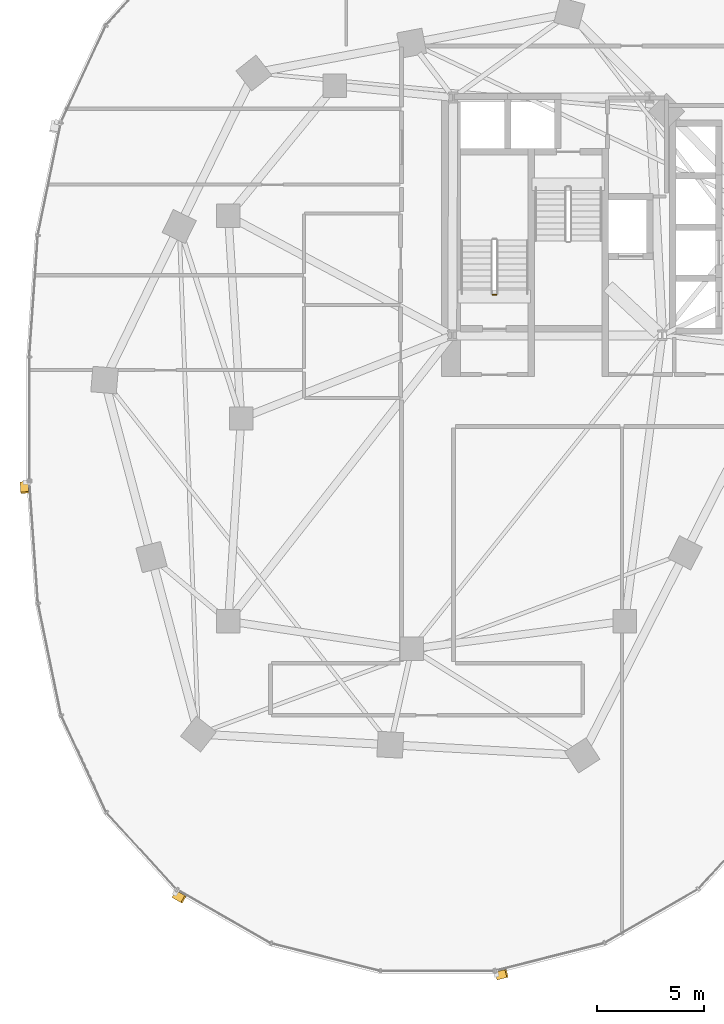
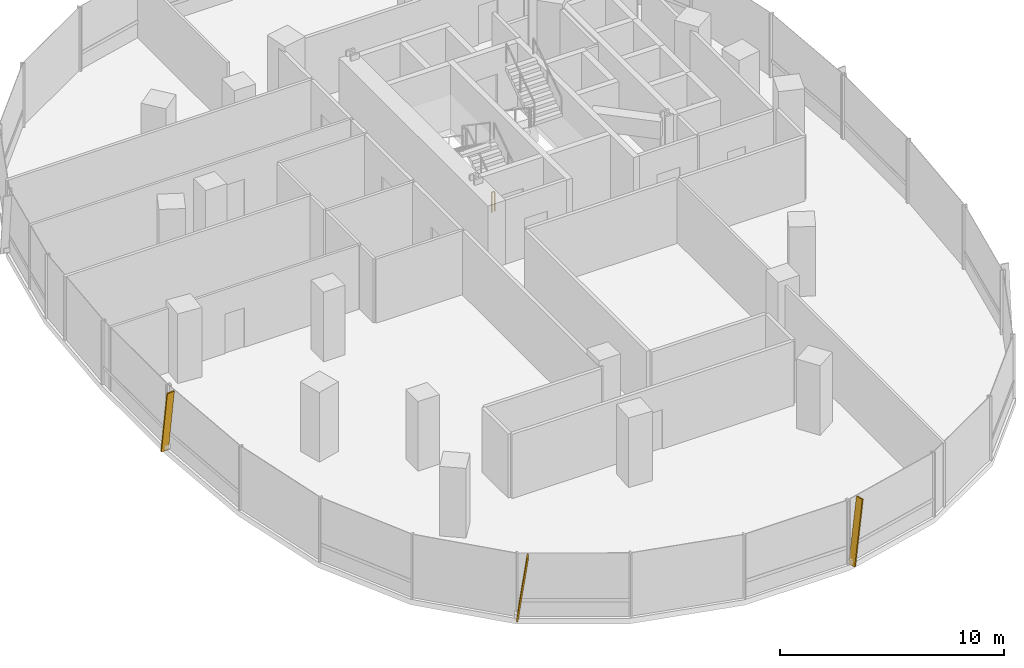
# One storey, part 17 of 21: 3 shading devices, 1 railing.
"""IFC4 building model written with IfcOpenShell, lengths in metres."""

import ifcopenshell
import ifcopenshell.guid

model = None  # the IFC model being written
_history = None  # IfcOwnerHistory: only IFC2X3 demands one
_inside = {}  # id of a spatial element -> (the spatial element, [elements in it])
_under = {}  # id of a project, library or spatial element -> (it, [spatial elements below it])
_declared = {}  # id of a project -> (the project, [libraries it declares])
_typed = {}  # id of a type object -> (the type object, [elements of that type])
_made_of = {}  # id of a material, layer set ... -> (it, [elements and type objects made of it])


def new_model(schema):
    """Start an empty IFC model of exactly this schema.

    Asked for "IFC4X3", IfcOpenShell would pick the latest addendum, in which some entities
    have other attributes; the version numbers below select the first issue.
    IFC2X3 requires an IfcOwnerHistory on every rooted entity: one is made here for all.
    """
    global model, _history
    if schema == "IFC4X3":
        model = ifcopenshell.file(schema_version=(4, 3, 0, 0))
    else:
        model = ifcopenshell.file(schema=schema)
    _inside.clear()
    _under.clear()
    _declared.clear()
    _typed.clear()
    _made_of.clear()
    _history = None
    if model.schema == "IFC2X3":
        org = make("IfcOrganization", Name="unknown")
        user = make(
            "IfcPersonAndOrganization",
            ThePerson=make("IfcPerson", FamilyName="unknown"),
            TheOrganization=org,
        )
        app = make(
            "IfcApplication",
            ApplicationDeveloper=org,
            Version="unknown",
            ApplicationFullName="unknown",
            ApplicationIdentifier="unknown",
        )
        _history = make(
            "IfcOwnerHistory",
            OwningUser=user,
            OwningApplication=app,
            ChangeAction="ADDED",
            CreationDate=0,
        )
    return model


def make(cls, **values):
    """One entity of the class cls with the attributes given. An attribute that is None is left unset."""
    return model.create_entity(
        cls, **{name: value for name, value in values.items() if value is not None}
    )


def rooted(cls, **values):
    """An entity with a GlobalId (a new one), such as an element, a storey or a relation."""
    return make(cls, GlobalId=ifcopenshell.guid.new(), OwnerHistory=_history, **values)


def si_unit(unit_type, name, prefix=None):
    """IfcSIUnit, for example si_unit("LENGTHUNIT", "METRE", prefix="MILLI")."""
    return make("IfcSIUnit", UnitType=unit_type, Prefix=prefix, Name=name)


def assignment(units):
    """IfcUnitAssignment: the units of a project."""
    return None if units is None else make("IfcUnitAssignment", Units=units)


def point(xyz):
    """IfcCartesianPoint."""
    return None if xyz is None else make("IfcCartesianPoint", Coordinates=xyz)


def direction(xyz):
    """IfcDirection."""
    return None if xyz is None else make("IfcDirection", DirectionRatios=xyz)


def frame(location, z_axis=None, x_axis=None):
    """IfcAxis2Placement3D, a coordinate frame: its origin and axes. An axis left out is left unset."""
    return make(
        "IfcAxis2Placement3D",
        Location=point(location),
        Axis=direction(z_axis),
        RefDirection=direction(x_axis),
    )


def frame_2d(location, x_axis=None):
    """IfcAxis2Placement2D, a coordinate frame in the plane: its origin and x axis."""
    return make(
        "IfcAxis2Placement2D", Location=point(location), RefDirection=direction(x_axis)
    )


def origin():
    """The frame at (0, 0, 0) with its axes left unset."""
    return frame((0.0, 0.0, 0.0))


def origin_2d():
    """The frame at (0, 0) in the plane with its x axis left unset."""
    return frame_2d((0.0, 0.0))


def place(relative_to, where):
    """IfcLocalPlacement: puts the frame where relative to a parent placement (None: the world)."""
    return make(
        "IfcLocalPlacement", PlacementRelTo=relative_to, RelativePlacement=where
    )


def context(
    kind, dimensions, precision=None, world=None, true_north=None, identifier=None
):
    """IfcGeometricRepresentationContext, for example the 3D "Model" context."""
    return make(
        "IfcGeometricRepresentationContext",
        ContextIdentifier=identifier,
        ContextType=kind,
        CoordinateSpaceDimension=dimensions,
        Precision=precision,
        WorldCoordinateSystem=world,
        TrueNorth=true_north,
    )


def subcontext(parent, identifier, kind, view, scale=None):
    """IfcGeometricRepresentationSubContext, for example "Body" below "Model"."""
    return make(
        "IfcGeometricRepresentationSubContext",
        ContextIdentifier=identifier,
        ContextType=kind,
        ParentContext=parent,
        TargetScale=scale,
        TargetView=view,
    )


def project(units=None, contexts=None):
    """IfcProject with its units and contexts."""
    return rooted(
        "IfcProject",
        Name="project",
        RepresentationContexts=contexts,
        UnitsInContext=assignment(units),
    )


def spatial(cls, under=None, at=None, **own):
    """A site, building, storey or space (cls), placed at a placement, below another one or the project."""
    s = rooted(cls, ObjectPlacement=at, **own)
    if under is not None:
        _under.setdefault(under.id(), (under, []))[1].append(s)
    return s


def profile(cls, at=None, kind="AREA", **sizes):
    """A parametric profile (cls). Its sizes go by their IFC names, for example OverallWidth=200.0."""
    return make(cls, ProfileType=kind, Position=at, **sizes)


def rectangle(**sizes):
    """IfcRectangleProfileDef."""
    return profile("IfcRectangleProfileDef", **sizes)


def extrude(swept, where, along, depth):
    """IfcExtrudedAreaSolid: the profile swept, set in the frame where, extruded along a direction by depth."""
    return make(
        "IfcExtrudedAreaSolid",
        SweptArea=swept,
        Position=where,
        ExtrudedDirection=direction(along),
        Depth=depth,
    )


def shape(context_of_items, identifier, shape_type, items):
    """IfcShapeRepresentation: the items that make up one representation, for example the "Body"."""
    return make(
        "IfcShapeRepresentation",
        ContextOfItems=context_of_items,
        RepresentationIdentifier=identifier,
        RepresentationType=shape_type,
        Items=items,
    )


def material(Name=None, Category=None):
    """IfcMaterial."""
    return make("IfcMaterial", Name=Name, Category=Category)


def material_profile(
    of_material, cross_section, Name=None, Category=None, Priority=None
):
    """IfcMaterialProfile: a cross section and its material."""
    return make(
        "IfcMaterialProfile",
        Name=Name,
        Material=of_material,
        Profile=cross_section,
        Priority=Priority,
        Category=Category,
    )


def profile_set(profiles, Name=None, composite=None):
    """IfcMaterialProfileSet."""
    return make(
        "IfcMaterialProfileSet",
        Name=Name,
        MaterialProfiles=profiles,
        CompositeProfile=composite,
    )


def made_of(thing, what):
    """Note that an element or type object is made of a material, layer set ...; save() writes the relation."""
    if what is not None:
        _made_of.setdefault(what.id(), (what, []))[1].append(thing)
    return thing


def type_object(cls, material=None, **own):
    """A type object (cls), such as IfcWallType, which elements share."""
    return made_of(rooted(cls, **own), material)


def element(
    cls,
    number,
    at=None,
    inside=None,
    cuts=None,
    type_object=None,
    material=None,
    context=None,
    identifier="Body",
    shape_type=None,
    held_by="IfcProductDefinitionShape",
    body=None,
    shapes=None,
    **own,
):
    """One element of the class cls, such as IfcWall. Its Tag is "e" and its number.

    at: its placement. inside: the storey or other place that contains it. cuts: it is an
    opening in that element (IfcRelVoidsElement). A single representation is given by context,
    identifier, shape_type and body (its items); several are given by shapes. held_by: the class
    of the entity that holds the representations. save() writes the other relations.
    """
    e = rooted(cls, Tag="e%d" % number, ObjectPlacement=at, **own)
    if body is not None:
        shapes = [shape(context, identifier, shape_type, body)]
    if shapes is not None:
        e.Representation = make(held_by, Representations=shapes)
    if inside is not None:
        _inside.setdefault(inside.id(), (inside, []))[1].append(e)
    if cuts is not None:
        rooted(
            "IfcRelVoidsElement", RelatingBuildingElement=cuts, RelatedOpeningElement=e
        )
    if type_object is not None:
        _typed.setdefault(type_object.id(), (type_object, []))[1].append(e)
    return made_of(e, material)


def aggregate(whole, parts):
    """IfcRelAggregates: a whole, such as a stair, and the parts it consists of."""
    return rooted("IfcRelAggregates", RelatingObject=whole, RelatedObjects=parts)


def save(model, path):
    """Write the relations noted so far, then the file.

    IfcRelAggregates (storeys below a building ...), IfcRelContainedInSpatialStructure (elements
    in a storey), IfcRelDefinesByType, IfcRelAssociatesMaterial and IfcRelDeclares: one each for
    every whole, place, type object, material and project.
    """
    for whole, parts in _under.values():
        aggregate(whole, parts)
    for where, things in _inside.values():
        rooted(
            "IfcRelContainedInSpatialStructure",
            RelatedElements=things,
            RelatingStructure=where,
        )
    for kind, things in _typed.values():
        rooted("IfcRelDefinesByType", RelatedObjects=things, RelatingType=kind)
    for what, things in _made_of.values():
        rooted("IfcRelAssociatesMaterial", RelatedObjects=things, RelatingMaterial=what)
    for by, libraries in _declared.values():
        rooted("IfcRelDeclares", RelatingContext=by, RelatedDefinitions=libraries)
    model.write(path)


model = new_model("IFC4")

# Units and contexts
model_context = context("Model", 3, precision=1e-05, world=origin(), true_north=direction((0.0, 1.0)))
body_context = subcontext(model_context, "Body", "Model", "MODEL_VIEW")
ifc_project = project(units=[si_unit("LENGTHUNIT", "METRE"), si_unit("AREAUNIT", "SQUARE_METRE"), si_unit("VOLUMEUNIT", "CUBIC_METRE"), si_unit("PLANEANGLEUNIT", "RADIAN"), si_unit("MASSUNIT", "GRAM", prefix="KILO"), si_unit("THERMODYNAMICTEMPERATUREUNIT", "KELVIN"), si_unit("POWERUNIT", "WATT")], contexts=[model_context])

# Site, building, storey
site_placement = place(None, origin())
site = spatial("IfcSite", under=ifc_project, at=site_placement, CompositionType="ELEMENT")
building_placement = place(site_placement, origin())
building = spatial("IfcBuilding", under=site, at=building_placement, Name="Cundina Bronze Exchange", CompositionType="ELEMENT")
storey_placement = place(building_placement, frame((0.0, 0.0, 27.800048828125)))
storey = spatial("IfcBuildingStorey", under=building, at=storey_placement, Name="L06", CompositionType="ELEMENT", Elevation=27.800048828125)

# Railing
ifc_material_1 = material(Name="Steel ASTM A36 Painted", Category="steel")
railing_type = type_object("IfcRailingType", Name="RLG-STG-1100", PredefinedType="GUARDRAIL", material=ifc_material_1)
railing_placement = place(storey_placement, frame((-29.239990234375, 5.800048828125, 0.0)))
element("IfcRailing", 1, at=railing_placement, inside=storey, type_object=railing_type, Name="L06 ST-W1 stair guard 4", PredefinedType="GUARDRAIL", context=body_context, shape_type="SweptSolid", body=[
    extrude(rectangle(XDim=0.048095703125, YDim=0.048095703125, at=origin_2d()), frame((0.0, 0.0, 1.076171875), z_axis=(-1.0, 0.0, 0.0), x_axis=(0.0, -1.0, 0.0)), (0.0, 0.0, 1.0), 0.159912109375),
    extrude(rectangle(XDim=0.0419921875, YDim=0.0419921875, at=origin_2d()), origin(), (0.0, 0.0, 1.0), 1.052001953125),
    extrude(rectangle(XDim=0.0419921875, YDim=0.0419921875, at=origin_2d()), frame((-0.159912109375, 0.0, 0.0)), (0.0, 0.0, 1.0), 1.052001953125),
])

# Shading devices
ifc_material_2 = material(Name="Anodised Bronze Aluminium 6063-T6", Category="aluminium")
ifc_material_profile = material_profile(ifc_material_2, rectangle(XDim=0.070068359375, YDim=0.3798828125, at=origin_2d()), Name="FIN70X380", Category="aluminium")
ifc_profile_set = profile_set([ifc_material_profile], Name="Anodised Bronze Aluminium 6063-T6")
shading_device_type = type_object("IfcShadingDeviceType", Name="SHD-FIN-BRZ380", PredefinedType="USERDEFINED", material=ifc_profile_set)
for number, where, z_axis, x_axis, name in (
    (2, (-51.3740234375, -2.993896484375, 0.02001953125), (0.009645159174, -0.137059109714, 0.990515911709), (-0.06953288269, 0.988072340253, 0.137398066402), "L06 Diagonal Bronze Solar Fin 1"),
    (3, (-44.314208984375, -22.314208984375, 0.02001953125), (0.119166378275, -0.06842456559, 0.990513731915), (-0.85898178632, 0.493221799887, 0.137413779831), "L06 Diagonal Bronze Solar Fin 5"),
    (4, (-29.212646484375, -26.138427734375, 0.02001953125), (0.133214830938, 0.033688115694, 0.990514472221), (-0.960284642503, -0.242842181368, 0.137408443412), "L06 Diagonal Bronze Solar Fin 1"),
):
    element("IfcShadingDevice", number, at=place(storey_placement, frame(where, z_axis=z_axis, x_axis=x_axis)), inside=storey, type_object=shading_device_type, Name=name, ObjectType="FIN", PredefinedType="USERDEFINED", context=body_context, shape_type="SweptSolid", body=[
        extrude(rectangle(XDim=0.070068359375, YDim=0.3798828125, at=origin_2d()), origin(), (0.0, 0.0, 1.0), 3.4931640625),
    ])

save(model, "model.ifc")
